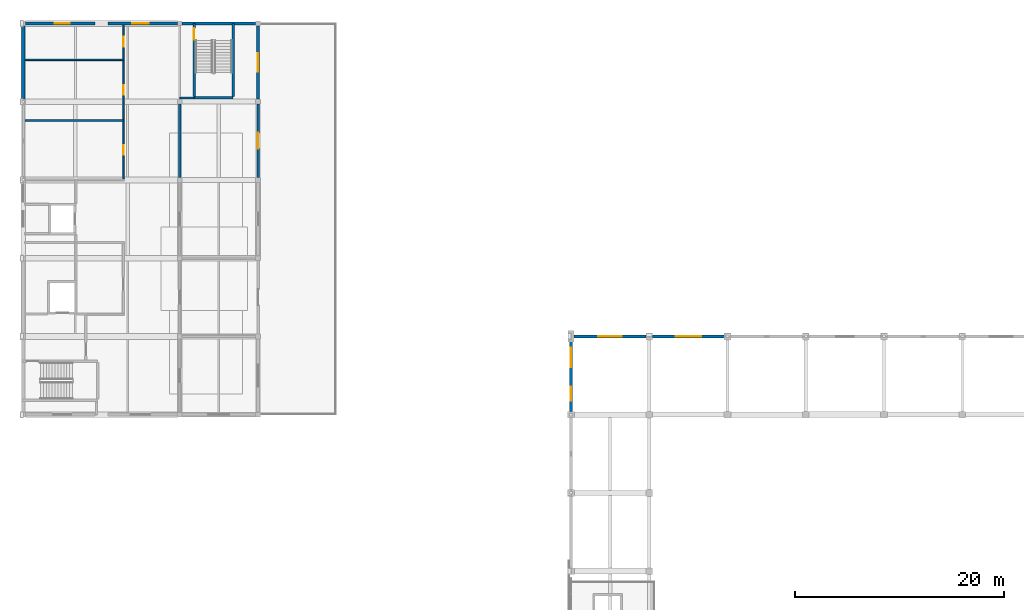
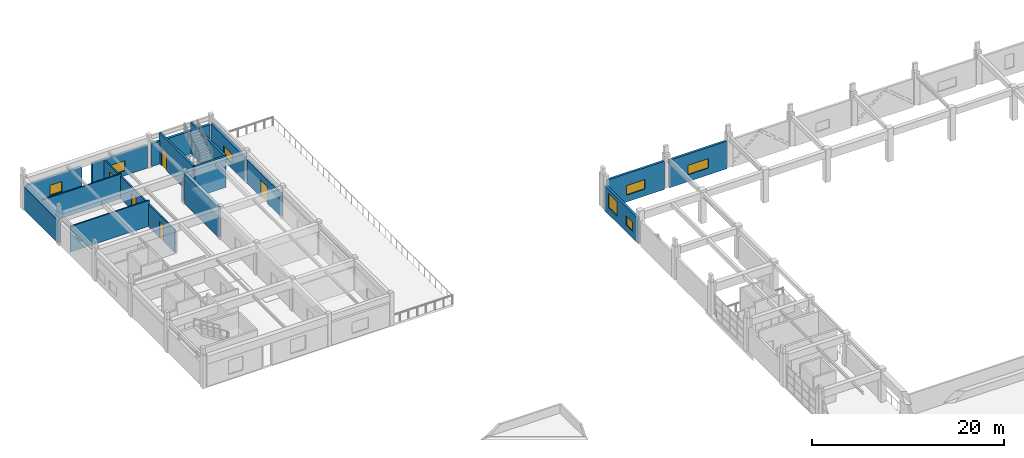
# One storey, part 37 of 51: 19 walls, 7 windows, 5 doors, 12 openings.
"""IFC4 building model written with IfcOpenShell, lengths in metres."""

from ifc_helpers import new_model, si_unit, direction, frame, frame_2d, origin, place, context, subcontext, project, spatial, rectangle, extrude, material, layer, layer_set, type_object, element, fill, save


model = new_model("IFC4")

# Units and contexts
model_context = context("Model", 3, precision=1e-05, world=origin(), true_north=direction((0.0, 1.0)))
body_context = subcontext(model_context, "Body", "Model", "MODEL_VIEW")
ifc_project = project(units=[si_unit("LENGTHUNIT", "METRE"), si_unit("AREAUNIT", "SQUARE_METRE"), si_unit("VOLUMEUNIT", "CUBIC_METRE"), si_unit("PLANEANGLEUNIT", "RADIAN"), si_unit("MASSUNIT", "GRAM", prefix="KILO")], contexts=[model_context])

# Site, building, storey
site_placement = place(None, origin())
site = spatial("IfcSite", under=ifc_project, at=site_placement, CompositionType="ELEMENT")
building_placement = place(site_placement, origin())
building = spatial("IfcBuilding", under=site, at=building_placement, Name="Qasida Concert Hall", CompositionType="ELEMENT")
storey_placement = place(building_placement, frame((0.0, 0.0, 21.0)))
storey = spatial("IfcBuildingStorey", under=building, at=storey_placement, Name="L05", CompositionType="ELEMENT", Elevation=21.0)

# Wall
ifc_material_1 = material(Name="Concrete C40/50", Category="concrete")
ifc_layer_1 = layer(ifc_material_1, 0.25, Name="Concrete C40/50")
ifc_layer_set_1 = layer_set([ifc_layer_1], Name="Concrete C40/50")
wall_type_1 = type_object("IfcWallType", Name="WL-CW-250", PredefinedType="SOLIDWALL", material=ifc_layer_set_1)
wall_1_placement = place(storey_placement, frame((16.3798828125, 105.35498046875, 0.0), z_axis=(0.0, 0.0, 1.0), x_axis=(1.0, 0.0, 0.0)))
element("IfcWall", 1, at=wall_1_placement, inside=storey, type_object=wall_type_1, Name="L05 ST-06 stairwell wall S", PredefinedType="SOLIDWALL", context=body_context, shape_type="SweptSolid", body=[
    extrude(rectangle(XDim=3.740234375, YDim=0.25, at=frame_2d((1.8701171875, 0.0))), origin(), (0.0, 0.0, 1.0), 3.919921875),
])

# Wall, opening, door
wall_2_placement = place(storey_placement, frame((16.375, 105.47998046875, 0.0), z_axis=(0.0, 0.0, 1.0), x_axis=(0.0, 1.0, 0.0)))
wall_2 = element("IfcWall", 2, at=wall_2_placement, inside=storey, type_object=wall_type_1, Name="L05 ST-06 stairwell wall W", PredefinedType="SOLIDWALL", context=body_context, shape_type="SweptSolid", body=[
    extrude(rectangle(XDim=7.02001953125, YDim=0.25, at=frame_2d((3.510009765625, 0.0))), origin(), (0.0, 0.0, 1.0), 3.919921875),
])
opening_1_placement = place(wall_2_placement, frame((5.469970703125, 0.0, 0.0)))
opening_1 = element("IfcOpeningElement", 3, at=opening_1_placement, cuts=wall_2, Name="Opening FD-110", PredefinedType="OPENING", context=body_context, shape_type="SweptSolid", body=[
    extrude(rectangle(XDim=1.10009765625, YDim=2.14990234375, at=frame_2d((0.550048828125, 1.074951171875))), frame((0.0, 0.135009765625, 0.0), z_axis=(0.0, -1.0, 0.0), x_axis=(1.0, 0.0, 0.0)), (0.0, 0.0, 1.0), 0.27001953125),
])
ifc_material_2 = material(Name="Steel fire-rated stair/lobby door set", Category="steel")
door_type_1 = type_object("IfcDoorType", Name="FD-110", OperationType="NOTDEFINED", PredefinedType="DOOR", material=ifc_material_2)
door_1_placement = place(opening_1_placement, origin())
door_1 = element("IfcDoor", 4, at=door_1_placement, inside=storey, type_object=door_type_1, Name="L05 ST-06 rated stair door", OperationType="SINGLE_SWING_RIGHT", OverallHeight=2.14990234375, OverallWidth=1.10009765625, PredefinedType="DOOR", context=body_context, shape_type="SweptSolid", body=[
    extrude(rectangle(XDim=1.10009765625, YDim=2.14990234375, at=frame_2d((0.550048828125, 1.074951171875))), frame((0.0, 0.02490234375, 0.0), z_axis=(0.0, -1.0, 0.0), x_axis=(1.0, 0.0, 0.0)), (0.0, 0.0, 1.0), 0.050048828125),
])
fill(opening_1, door_1)

# Wall
wall_3_placement = place(storey_placement, frame((20.125, 105.47998046875, 0.0), z_axis=(0.0, 0.0, 1.0), x_axis=(0.0, 1.0, 0.0)))
element("IfcWall", 5, at=wall_3_placement, inside=storey, type_object=wall_type_1, Name="L05 ST-06 stairwell wall E", PredefinedType="SOLIDWALL", context=body_context, shape_type="SweptSolid", body=[
    extrude(rectangle(XDim=7.02001953125, YDim=0.25, at=frame_2d((3.510009765625, 0.0))), origin(), (0.0, 0.0, 1.0), 3.919921875),
])

# Wall, opening, door
ifc_material_3 = material(Name="Precast concrete C40/50", Category="concrete")
ifc_layer_2 = layer(ifc_material_3, 0.239990234375, Name="Precast concrete C40/50")
ifc_layer_set_2 = layer_set([ifc_layer_2], Name="Precast concrete C40/50")
wall_type_2 = type_object("IfcWallType", Name="WL-EW-240", PredefinedType="SOLIDWALL", material=ifc_layer_set_2)
wall_4_placement = place(storey_placement, frame((22.5, 97.735107421875, 0.0), z_axis=(0.0, 0.0, 1.0), x_axis=(0.0, 1.0, 0.0)))
wall_4 = element("IfcWall", 6, at=wall_4_placement, inside=storey, type_object=wall_type_2, Name="L05 exterior wall EW-240 0323", PredefinedType="SOLIDWALL", context=body_context, shape_type="SweptSolid", body=[
    extrude(rectangle(XDim=7.02978515625, YDim=0.239990234375, at=frame_2d((3.514892578125, 0.0))), origin(), (0.0, 0.0, 1.0), 2.989990234375),
])
opening_2_placement = place(wall_4_placement, frame((2.764892578125, 0.0, 0.0)))
opening_2 = element("IfcOpeningElement", 7, at=opening_2_placement, cuts=wall_4, Name="Opening TD-150", PredefinedType="OPENING", context=body_context, shape_type="SweptSolid", body=[
    extrude(rectangle(XDim=1.5, YDim=2.14990234375, at=frame_2d((0.75, 1.074951171875))), frame((0.0, 0.1298828125, 0.0), z_axis=(0.0, -1.0, 0.0), x_axis=(1.0, 0.0, 0.0)), (0.0, 0.0, 1.0), 0.260009765625),
])
ifc_material_4 = material(Name="Patinated architectural bronze and laminated safety glass", Category="glass")
door_type_2 = type_object("IfcDoorType", Name="TD-150", OperationType="NOTDEFINED", PredefinedType="DOOR", material=ifc_material_4)
door_2_placement = place(opening_2_placement, frame((1.5, 0.0, 0.0), z_axis=(0.0, 0.0, 1.0), x_axis=(-1.0, 0.0, 0.0)))
door_2 = element("IfcDoor", 8, at=door_2_placement, inside=storey, type_object=door_type_2, Name="L05 west wing roof garden terrace door 2", OperationType="SINGLE_SWING_RIGHT", OverallHeight=2.14990234375, OverallWidth=1.5, PredefinedType="DOOR", context=body_context, shape_type="SweptSolid", body=[
    extrude(rectangle(XDim=1.5, YDim=2.14990234375, at=frame_2d((0.75, 1.074951171875))), frame((0.0, 0.02490234375, 0.0), z_axis=(0.0, -1.0, 0.0), x_axis=(1.0, 0.0, 0.0)), (0.0, 0.0, 1.0), 0.050048828125),
])
fill(opening_2, door_2)

# Wall, openings, windows
ifc_layer_3 = layer(ifc_material_3, 0.260009765625, Name="Precast concrete C40/50")
ifc_layer_set_3 = layer_set([ifc_layer_3], Name="Precast concrete C40/50")
wall_type_3 = type_object("IfcWallType", Name="WL-EW-260", PredefinedType="SOLIDWALL", material=ifc_layer_set_3)
wall_5_placement = place(storey_placement, frame((52.5, 75.300048828125, -0.280029296875), z_axis=(0.0, 0.0, 1.0), x_axis=(0.0, 1.0, 0.0)))
wall_5 = element("IfcWall", 9, at=wall_5_placement, inside=storey, type_object=wall_type_3, Name="L05 exterior wall EW-260 0104", PredefinedType="SOLIDWALL", context=body_context, shape_type="SweptSolid", body=[
    extrude(rectangle(XDim=6.89990234375, YDim=0.260009765625, at=frame_2d((3.449951171875, 0.0))), origin(), (0.0, 0.0, 1.0), 3.219970703125),
])
opening_3_placement = place(wall_5_placement, frame((1.050048828125, 0.0, 0.8798828125)))
opening_3 = element("IfcOpeningElement", 10, at=opening_3_placement, cuts=wall_5, Name="Opening WN-23", PredefinedType="OPENING", context=body_context, shape_type="SweptSolid", body=[
    extrude(rectangle(XDim=1.35009765625, YDim=1.14990234375, at=frame_2d((0.675048828125, 0.574951171875))), frame((0.0, 0.139892578125, 0.0), z_axis=(0.0, -1.0, 0.0), x_axis=(1.0, 0.0, 0.0)), (0.0, 0.0, 1.0), 0.280029296875),
])
opening_4_placement = place(wall_5_placement, frame((4.25, 0.0, 0.8798828125)))
opening_4 = element("IfcOpeningElement", 11, at=opening_4_placement, cuts=wall_5, Name="Opening WN-06", PredefinedType="OPENING", context=body_context, shape_type="SweptSolid", body=[
    extrude(rectangle(XDim=1.85009765625, YDim=1.800048828125, at=frame_2d((0.925048828125, 0.89990234375))), frame((0.0, 0.139892578125, 0.0), z_axis=(0.0, -1.0, 0.0), x_axis=(1.0, 0.0, 0.0)), (0.0, 0.0, 1.0), 0.280029296875),
])
ifc_material_5 = material(Name="Bronze-anodized aluminium frame with acoustic low-E glazing", Category="aluminium")
window_type_1 = type_object("IfcWindowType", Name="WN-06", PartitioningType="SINGLE_PANEL", PredefinedType="WINDOW", material=ifc_material_5)
window_1_placement = place(opening_4_placement, origin())
window_1 = element("IfcWindow", 12, at=window_1_placement, inside=storey, type_object=window_type_1, Name="L05 window WN-06 0038", OverallHeight=1.800048828125, OverallWidth=1.85009765625, PartitioningType="SINGLE_PANEL", PredefinedType="WINDOW", context=body_context, shape_type="SweptSolid", body=[
    extrude(rectangle(XDim=1.85009765625, YDim=1.800048828125, at=frame_2d((0.925048828125, 0.89990234375))), frame((0.0, 0.030029296875, 0.0), z_axis=(0.0, -1.0, 0.0), x_axis=(1.0, 0.0, 0.0)), (0.0, 0.0, 1.0), 0.06005859375),
])
fill(opening_4, window_1)
window_type_2 = type_object("IfcWindowType", Name="WN-23", PartitioningType="SINGLE_PANEL", PredefinedType="WINDOW", material=ifc_material_5)
window_2_placement = place(opening_3_placement, origin())
window_2 = element("IfcWindow", 13, at=window_2_placement, inside=storey, type_object=window_type_2, Name="L05 window WN-23 0037", OverallHeight=1.14990234375, OverallWidth=1.35009765625, PartitioningType="SINGLE_PANEL", PredefinedType="WINDOW", context=body_context, shape_type="SweptSolid", body=[
    extrude(rectangle(XDim=1.35009765625, YDim=1.14990234375, at=frame_2d((0.675048828125, 0.574951171875))), frame((0.0, 0.030029296875, 0.0), z_axis=(0.0, -1.0, 0.0), x_axis=(1.0, 0.0, 0.0)), (0.0, 0.0, 1.0), 0.06005859375),
])
fill(opening_3, window_2)

# Wall, opening, window
wall_6_placement = place(storey_placement, frame((52.800048828125, 82.5, -0.280029296875), z_axis=(0.0, 0.0, 1.0), x_axis=(1.0, 0.0, 0.0)))
wall_6 = element("IfcWall", 14, at=wall_6_placement, inside=storey, type_object=wall_type_3, Name="L05 exterior wall EW-260 0106", PredefinedType="SOLIDWALL", context=body_context, shape_type="SweptSolid", body=[
    extrude(rectangle(XDim=6.89990234375, YDim=0.260009765625, at=frame_2d((3.449951171875, 0.0))), origin(), (0.0, 0.0, 1.0), 3.60009765625),
])
opening_5_placement = place(wall_6_placement, frame((2.324951171875, 0.0, 0.8798828125)))
opening_5 = element("IfcOpeningElement", 15, at=opening_5_placement, cuts=wall_6, Name="Opening WN-21", PredefinedType="OPENING", context=body_context, shape_type="SweptSolid", body=[
    extrude(rectangle(XDim=2.25, YDim=1.199951171875, at=frame_2d((1.125, 0.60009765625))), frame((0.0, 0.139892578125, 0.0), z_axis=(0.0, -1.0, 0.0), x_axis=(1.0, 0.0, 0.0)), (0.0, 0.0, 1.0), 0.280029296875),
])
window_type_3 = type_object("IfcWindowType", Name="WN-21", PartitioningType="SINGLE_PANEL", PredefinedType="WINDOW", material=ifc_material_5)
window_3_placement = place(opening_5_placement, origin())
window_3 = element("IfcWindow", 16, at=window_3_placement, inside=storey, type_object=window_type_3, Name="L05 window WN-21 0041", OverallHeight=1.199951171875, OverallWidth=2.25, PartitioningType="SINGLE_PANEL", PredefinedType="WINDOW", context=body_context, shape_type="SweptSolid", body=[
    extrude(rectangle(XDim=2.25, YDim=1.199951171875, at=frame_2d((1.125, 0.60009765625))), frame((0.0, 0.030029296875, 0.0), z_axis=(0.0, -1.0, 0.0), x_axis=(1.0, 0.0, 0.0)), (0.0, 0.0, 1.0), 0.06005859375),
])
fill(opening_5, window_3)

wall_7_placement = place(storey_placement, frame((60.300048828125, 82.5, -0.280029296875), z_axis=(0.0, 0.0, 1.0), x_axis=(1.0, 0.0, 0.0)))
wall_7 = element("IfcWall", 17, at=wall_7_placement, inside=storey, type_object=wall_type_3, Name="L05 exterior wall EW-260 0107", PredefinedType="SOLIDWALL", context=body_context, shape_type="SweptSolid", body=[
    extrude(rectangle(XDim=6.89990234375, YDim=0.260009765625, at=frame_2d((3.449951171875, 0.0))), origin(), (0.0, 0.0, 1.0), 3.52001953125),
])
opening_6_placement = place(wall_7_placement, frame((2.22509765625, 0.0, 0.8798828125)))
opening_6 = element("IfcOpeningElement", 18, at=opening_6_placement, cuts=wall_7, Name="Opening WN-22", PredefinedType="OPENING", context=body_context, shape_type="SweptSolid", body=[
    extrude(rectangle(XDim=2.449951171875, YDim=1.199951171875, at=frame_2d((1.22509765625, 0.60009765625))), frame((0.0, 0.139892578125, 0.0), z_axis=(0.0, -1.0, 0.0), x_axis=(1.0, 0.0, 0.0)), (0.0, 0.0, 1.0), 0.280029296875),
])
window_type_4 = type_object("IfcWindowType", Name="WN-22", PartitioningType="SINGLE_PANEL", PredefinedType="WINDOW", material=ifc_material_5)
window_4_placement = place(opening_6_placement, origin())
window_4 = element("IfcWindow", 19, at=window_4_placement, inside=storey, type_object=window_type_4, Name="L05 window WN-22 0042", OverallHeight=1.199951171875, OverallWidth=2.449951171875, PartitioningType="SINGLE_PANEL", PredefinedType="WINDOW", context=body_context, shape_type="SweptSolid", body=[
    extrude(rectangle(XDim=2.449951171875, YDim=1.199951171875, at=frame_2d((1.22509765625, 0.60009765625))), frame((0.0, 0.030029296875, 0.0), z_axis=(0.0, -1.0, 0.0), x_axis=(1.0, 0.0, 0.0)), (0.0, 0.0, 1.0), 0.06005859375),
])
fill(opening_6, window_4)

ifc_layer_4 = layer(ifc_material_3, 0.300048828125, Name="Precast concrete C40/50")
ifc_layer_set_4 = layer_set([ifc_layer_4], Name="Precast concrete C40/50")
wall_type_4 = type_object("IfcWallType", Name="WL-EW-300", PredefinedType="SOLIDWALL", material=ifc_layer_set_4)
wall_8_placement = place(storey_placement, frame((0.235107421875, 112.5, 0.0), z_axis=(0.0, 0.0, 1.0), x_axis=(1.0, 0.0, 0.0)))
wall_8 = element("IfcWall", 20, at=wall_8_placement, inside=storey, type_object=wall_type_4, Name="L05 exterior wall EW-300 0310", PredefinedType="SOLIDWALL", context=body_context, shape_type="SweptSolid", body=[
    extrude(rectangle(XDim=6.644775390625, YDim=0.300048828125, at=frame_2d((3.322265625, 0.0))), origin(), (0.0, 0.0, 1.0), 2.889892578125),
])
opening_7_placement = place(wall_8_placement, frame((2.7900390625, 0.0, 0.60009765625)))
opening_7 = element("IfcOpeningElement", 21, at=opening_7_placement, cuts=wall_8, Name="Opening WN-11", PredefinedType="OPENING", context=body_context, shape_type="SweptSolid", body=[
    extrude(rectangle(XDim=1.449951171875, YDim=1.300048828125, at=frame_2d((0.72509765625, 0.64990234375))), frame((0.0, 0.159912109375, 0.0), z_axis=(0.0, -1.0, 0.0), x_axis=(1.0, 0.0, 0.0)), (0.0, 0.0, 1.0), 0.320068359375),
])
window_type_5 = type_object("IfcWindowType", Name="WN-11", PartitioningType="SINGLE_PANEL", PredefinedType="WINDOW", material=ifc_material_5)
window_5_placement = place(opening_7_placement, origin())
window_5 = element("IfcWindow", 22, at=window_5_placement, inside=storey, type_object=window_type_5, Name="L05 window WN-11 0171", OverallHeight=1.300048828125, OverallWidth=1.449951171875, PartitioningType="SINGLE_PANEL", PredefinedType="WINDOW", context=body_context, shape_type="SweptSolid", body=[
    extrude(rectangle(XDim=1.449951171875, YDim=1.300048828125, at=frame_2d((0.72509765625, 0.64990234375))), frame((0.0, 0.030029296875, 0.0), z_axis=(0.0, -1.0, 0.0), x_axis=(1.0, 0.0, 0.0)), (0.0, 0.0, 1.0), 0.06005859375),
])
fill(opening_7, window_5)

wall_9_placement = place(storey_placement, frame((8.1201171875, 112.5, 0.0), z_axis=(0.0, 0.0, 1.0), x_axis=(1.0, 0.0, 0.0)))
wall_9 = element("IfcWall", 23, at=wall_9_placement, inside=storey, type_object=wall_type_4, Name="L05 exterior wall EW-300 0312", PredefinedType="SOLIDWALL", context=body_context, shape_type="SweptSolid", body=[
    extrude(rectangle(XDim=6.644775390625, YDim=0.300048828125, at=frame_2d((3.322265625, 0.0))), origin(), (0.0, 0.0, 1.0), 2.889892578125),
])
opening_8_placement = place(wall_9_placement, frame((2.330078125, 0.0, 0.60009765625)))
opening_8 = element("IfcOpeningElement", 24, at=opening_8_placement, cuts=wall_9, Name="Opening WN-12", PredefinedType="OPENING", context=body_context, shape_type="SweptSolid", body=[
    extrude(rectangle(XDim=1.60009765625, YDim=1.300048828125, at=frame_2d((0.800048828125, 0.64990234375))), frame((0.0, 0.159912109375, 0.0), z_axis=(0.0, -1.0, 0.0), x_axis=(1.0, 0.0, 0.0)), (0.0, 0.0, 1.0), 0.320068359375),
])
window_type_6 = type_object("IfcWindowType", Name="WN-12", PartitioningType="SINGLE_PANEL", PredefinedType="WINDOW", material=ifc_material_5)
window_6_placement = place(opening_8_placement, origin())
window_6 = element("IfcWindow", 25, at=window_6_placement, inside=storey, type_object=window_type_6, Name="L05 window WN-12 0173", OverallHeight=1.300048828125, OverallWidth=1.60009765625, PartitioningType="SINGLE_PANEL", PredefinedType="WINDOW", context=body_context, shape_type="SweptSolid", body=[
    extrude(rectangle(XDim=1.60009765625, YDim=1.300048828125, at=frame_2d((0.800048828125, 0.64990234375))), frame((0.0, 0.030029296875, 0.0), z_axis=(0.0, -1.0, 0.0), x_axis=(1.0, 0.0, 0.0)), (0.0, 0.0, 1.0), 0.06005859375),
])
fill(opening_8, window_6)

# Wall
wall_10_placement = place(storey_placement, frame((15.235107421875, 112.5, 0.0), z_axis=(0.0, 0.0, 1.0), x_axis=(1.0, 0.0, 0.0)))
element("IfcWall", 26, at=wall_10_placement, inside=storey, type_object=wall_type_4, Name="L05 exterior wall EW-300 0314", PredefinedType="SOLIDWALL", context=body_context, shape_type="SweptSolid", body=[
    extrude(rectangle(XDim=7.02978515625, YDim=0.300048828125, at=frame_2d((3.514892578125, 0.0))), origin(), (0.0, 0.0, 1.0), 2.889892578125),
])

# Wall, opening, window
wall_11_placement = place(storey_placement, frame((22.5, 105.235107421875, 0.0), z_axis=(0.0, 0.0, 1.0), x_axis=(0.0, 1.0, 0.0)))
wall_11 = element("IfcWall", 27, at=wall_11_placement, inside=storey, type_object=wall_type_4, Name="L05 exterior wall EW-300 0325", PredefinedType="SOLIDWALL", context=body_context, shape_type="SweptSolid", body=[
    extrude(rectangle(XDim=7.02978515625, YDim=0.300048828125, at=frame_2d((3.514892578125, 0.0))), origin(), (0.0, 0.0, 1.0), 3.0400390625),
])
opening_9_placement = place(wall_11_placement, frame((2.614990234375, 0.0, 0.60009765625)))
opening_9 = element("IfcOpeningElement", 28, at=opening_9_placement, cuts=wall_11, Name="Opening WN-19", PredefinedType="OPENING", context=body_context, shape_type="SweptSolid", body=[
    extrude(rectangle(XDim=1.800048828125, YDim=1.199951171875, at=frame_2d((0.89990234375, 0.60009765625))), frame((0.0, 0.159912109375, 0.0), z_axis=(0.0, -1.0, 0.0), x_axis=(1.0, 0.0, 0.0)), (0.0, 0.0, 1.0), 0.320068359375),
])
window_type_7 = type_object("IfcWindowType", Name="WN-19", PartitioningType="SINGLE_PANEL", PredefinedType="WINDOW", material=ifc_material_5)
window_7_placement = place(opening_9_placement, origin())
window_7 = element("IfcWindow", 29, at=window_7_placement, inside=storey, type_object=window_type_7, Name="L05 window WN-19 0180", OverallHeight=1.199951171875, OverallWidth=1.800048828125, PartitioningType="SINGLE_PANEL", PredefinedType="WINDOW", context=body_context, shape_type="SweptSolid", body=[
    extrude(rectangle(XDim=1.800048828125, YDim=1.199951171875, at=frame_2d((0.89990234375, 0.60009765625))), frame((0.0, 0.030029296875, 0.0), z_axis=(0.0, -1.0, 0.0), x_axis=(1.0, 0.0, 0.0)), (0.0, 0.0, 1.0), 0.06005859375),
])
fill(opening_9, window_7)

# Walls
ifc_layer_5 = layer(ifc_material_3, 0.320068359375, Name="Precast concrete C40/50")
ifc_layer_set_5 = layer_set([ifc_layer_5], Name="Precast concrete C40/50")
wall_type_5 = type_object("IfcWallType", Name="WL-EW-320", PredefinedType="SOLIDWALL", material=ifc_layer_set_5)
wall_12_placement = place(storey_placement, frame((0.0, 105.235107421875, 0.0), z_axis=(0.0, 0.0, 1.0), x_axis=(0.0, 1.0, 0.0)))
element("IfcWall", 30, at=wall_12_placement, inside=storey, type_object=wall_type_5, Name="L05 exterior wall EW-320 0324", PredefinedType="SOLIDWALL", context=body_context, shape_type="SweptSolid", body=[
    extrude(rectangle(XDim=7.02978515625, YDim=0.320068359375, at=frame_2d((3.514892578125, 0.0))), origin(), (0.0, 0.0, 1.0), 2.889892578125),
])
ifc_material_6 = material(Name="Moisture-resistant gypsum partition", Category="gypsum")
ifc_layer_6 = layer(ifc_material_6, 0.159912109375, Name="Moisture-resistant gypsum partition")
ifc_layer_set_6 = layer_set([ifc_layer_6], Name="Moisture-resistant gypsum partition")
wall_type_6 = type_object("IfcWallType", Name="WL-PW-160", PredefinedType="PARTITIONING", material=ifc_layer_set_6)
wall_13_placement = place(storey_placement, frame((0.174072265625, 103.199951171875, 0.0), z_axis=(0.0, 0.0, 1.0), x_axis=(1.0, 0.0, 0.0)))
element("IfcWall", 31, at=wall_13_placement, inside=storey, type_object=wall_type_6, Name="L05 partition PW-160 0386", PredefinedType="PARTITIONING", context=body_context, shape_type="SweptSolid", body=[
    extrude(rectangle(XDim=9.505859375, YDim=0.159912109375, at=frame_2d((4.7529296875, 0.0))), origin(), (0.0, 0.0, 1.0), 3.27001953125),
])
wall_14_placement = place(storey_placement, frame((0.174072265625, 109.0, 0.0), z_axis=(0.0, 0.0, 1.0), x_axis=(1.0, 0.0, 0.0)))
element("IfcWall", 32, at=wall_14_placement, inside=storey, type_object=wall_type_6, Name="L05 partition PW-160 0387", PredefinedType="PARTITIONING", context=body_context, shape_type="SweptSolid", body=[
    extrude(rectangle(XDim=9.505859375, YDim=0.159912109375, at=frame_2d((4.7529296875, 0.0))), origin(), (0.0, 0.0, 1.0), 3.139892578125),
])

# Wall, opening, door
wall_15_placement = place(storey_placement, frame((9.60009765625, 97.593994140625, 0.0), z_axis=(0.0, 0.0, 1.0), x_axis=(0.0, 1.0, 0.0)))
wall_15 = element("IfcWall", 33, at=wall_15_placement, inside=storey, type_object=wall_type_6, Name="L05 partition PW-160 0388", PredefinedType="PARTITIONING", context=body_context, shape_type="SweptSolid", body=[
    extrude(rectangle(XDim=5.511962890625, YDim=0.159912109375, at=frame_2d((2.755859375, 0.0))), origin(), (0.0, 0.0, 1.0), 2.889892578125),
])
opening_10_placement = place(wall_15_placement, frame((2.305908203125, 0.0, 0.0)))
opening_10 = element("IfcOpeningElement", 34, at=opening_10_placement, cuts=wall_15, Name="Opening ID-090", PredefinedType="OPENING", context=body_context, shape_type="SweptSolid", body=[
    extrude(rectangle(XDim=0.89990234375, YDim=2.10009765625, at=frame_2d((0.449951171875, 1.050048828125))), frame((0.0, 0.08984375, 0.0), z_axis=(0.0, -1.0, 0.0), x_axis=(1.0, 0.0, 0.0)), (0.0, 0.0, 1.0), 0.179931640625),
])
ifc_material_7 = material(Name="Quarter-sawn oak flush room door", Category="wood")
door_type_3 = type_object("IfcDoorType", Name="ID-090", OperationType="NOTDEFINED", PredefinedType="DOOR", material=ifc_material_7)
door_3_placement = place(opening_10_placement, origin())
door_3 = element("IfcDoor", 35, at=door_3_placement, inside=storey, type_object=door_type_3, Name="L05 Admin male restroom door", OperationType="SINGLE_SWING_RIGHT", OverallHeight=2.10009765625, OverallWidth=0.89990234375, PredefinedType="DOOR", context=body_context, shape_type="SweptSolid", body=[
    extrude(rectangle(XDim=0.89990234375, YDim=2.10009765625, at=frame_2d((0.449951171875, 1.050048828125))), frame((0.0, 0.02490234375, 0.0), z_axis=(0.0, -1.0, 0.0), x_axis=(1.0, 0.0, 0.0)), (0.0, 0.0, 1.0), 0.050048828125),
])
fill(opening_10, door_3)

wall_16_placement = place(storey_placement, frame((9.60009765625, 103.2939453125, 0.0), z_axis=(0.0, 0.0, 1.0), x_axis=(0.0, 1.0, 0.0)))
wall_16 = element("IfcWall", 36, at=wall_16_placement, inside=storey, type_object=wall_type_6, Name="L05 partition PW-160 0389", PredefinedType="PARTITIONING", context=body_context, shape_type="SweptSolid", body=[
    extrude(rectangle(XDim=5.612060546875, YDim=0.159912109375, at=frame_2d((2.80615234375, 0.0))), origin(), (0.0, 0.0, 1.0), 2.889892578125),
])
opening_11_placement = place(wall_16_placement, frame((2.35595703125, 0.0, 0.0)))
opening_11 = element("IfcOpeningElement", 37, at=opening_11_placement, cuts=wall_16, Name="Opening ID-090", PredefinedType="OPENING", context=body_context, shape_type="SweptSolid", body=[
    extrude(rectangle(XDim=0.89990234375, YDim=2.10009765625, at=frame_2d((0.449951171875, 1.050048828125))), frame((0.0, 0.08984375, 0.0), z_axis=(0.0, -1.0, 0.0), x_axis=(1.0, 0.0, 0.0)), (0.0, 0.0, 1.0), 0.179931640625),
])
door_4_placement = place(opening_11_placement, origin())
door_4 = element("IfcDoor", 38, at=door_4_placement, inside=storey, type_object=door_type_3, Name="L05 Admin female restroom door", OperationType="SINGLE_SWING_LEFT", OverallHeight=2.10009765625, OverallWidth=0.89990234375, PredefinedType="DOOR", context=body_context, shape_type="SweptSolid", body=[
    extrude(rectangle(XDim=0.89990234375, YDim=2.10009765625, at=frame_2d((0.449951171875, 1.050048828125))), frame((0.0, 0.02490234375, 0.0), z_axis=(0.0, -1.0, 0.0), x_axis=(1.0, 0.0, 0.0)), (0.0, 0.0, 1.0), 0.050048828125),
])
fill(opening_11, door_4)

wall_17_placement = place(storey_placement, frame((9.60009765625, 109.093994140625, 0.0), z_axis=(0.0, 0.0, 1.0), x_axis=(0.0, 1.0, 0.0)))
wall_17 = element("IfcWall", 39, at=wall_17_placement, inside=storey, type_object=wall_type_6, Name="L05 partition PW-160 0390", PredefinedType="PARTITIONING", context=body_context, shape_type="SweptSolid", body=[
    extrude(rectangle(XDim=3.241943359375, YDim=0.159912109375, at=frame_2d((1.62109375, 0.0))), origin(), (0.0, 0.0, 1.0), 2.889892578125),
])
opening_12_placement = place(wall_17_placement, frame((1.180908203125, 0.0, 0.0)))
opening_12 = element("IfcOpeningElement", 40, at=opening_12_placement, cuts=wall_17, Name="Opening ID-095", PredefinedType="OPENING", context=body_context, shape_type="SweptSolid", body=[
    extrude(rectangle(XDim=0.949951171875, YDim=2.10009765625, at=frame_2d((0.47509765625, 1.050048828125))), frame((0.0, 0.08984375, 0.0), z_axis=(0.0, -1.0, 0.0), x_axis=(1.0, 0.0, 0.0)), (0.0, 0.0, 1.0), 0.179931640625),
])
ifc_material_8 = material(Name="Quarter-sawn oak accessible WC door", Category="wood")
door_type_4 = type_object("IfcDoorType", Name="ID-095", OperationType="NOTDEFINED", PredefinedType="DOOR", material=ifc_material_8)
door_5_placement = place(opening_12_placement, origin())
door_5 = element("IfcDoor", 41, at=door_5_placement, inside=storey, type_object=door_type_4, Name="L05 Admin accessible WC door", OperationType="SINGLE_SWING_RIGHT", OverallHeight=2.10009765625, OverallWidth=0.949951171875, PredefinedType="DOOR", context=body_context, shape_type="SweptSolid", body=[
    extrude(rectangle(XDim=0.949951171875, YDim=2.10009765625, at=frame_2d((0.47509765625, 1.050048828125))), frame((0.0, 0.02490234375, 0.0), z_axis=(0.0, -1.0, 0.0), x_axis=(1.0, 0.0, 0.0)), (0.0, 0.0, 1.0), 0.050048828125),
])
fill(opening_12, door_5)

# Walls
ifc_material_9 = material(Name="Acoustic metal-stud gypsum partition", Category="gypsum")
ifc_layer_7 = layer(ifc_material_9, 0.179931640625, Name="Acoustic metal-stud gypsum partition")
ifc_layer_set_7 = layer_set([ifc_layer_7], Name="Acoustic metal-stud gypsum partition")
wall_type_7 = type_object("IfcWallType", Name="WL-PW-180", PredefinedType="PARTITIONING", material=ifc_layer_set_7)
wall_18_placement = place(storey_placement, frame((15.0, 105.35009765625, 0.0), z_axis=(0.0, 0.0, 1.0), x_axis=(1.0, 0.0, 0.0)))
element("IfcWall", 42, at=wall_18_placement, inside=storey, type_object=wall_type_7, Name="L05 partition PW-180 0391", PredefinedType="PARTITIONING", context=body_context, shape_type="SweptSolid", body=[
    extrude(rectangle(XDim=1.3798828125, YDim=0.179931640625, at=frame_2d((0.68994140625, 0.0))), origin(), (0.0, 0.0, 1.0), 2.889892578125),
])
ifc_layer_8 = layer(ifc_material_1, 0.280029296875, Name="Concrete C40/50")
ifc_layer_set_8 = layer_set([ifc_layer_8], Name="Concrete C40/50")
wall_type_8 = type_object("IfcWallType", Name="WL-SW-280", PredefinedType="SHEAR", material=ifc_layer_set_8)
wall_19_placement = place(storey_placement, frame((15.0, 97.72509765625, 0.0), z_axis=(0.0, 0.0, 1.0), x_axis=(0.0, 1.0, 0.0)))
element("IfcWall", 43, at=wall_19_placement, inside=storey, type_object=wall_type_8, Name="L05 V5 conservatory shear wall 0046", PredefinedType="SHEAR", context=body_context, shape_type="SweptSolid", body=[
    extrude(rectangle(XDim=7.0498046875, YDim=0.280029296875, at=frame_2d((3.52490234375, 0.0))), origin(), (0.0, 0.0, 1.0), 3.89990234375),
])

save(model, "model.ifc")
